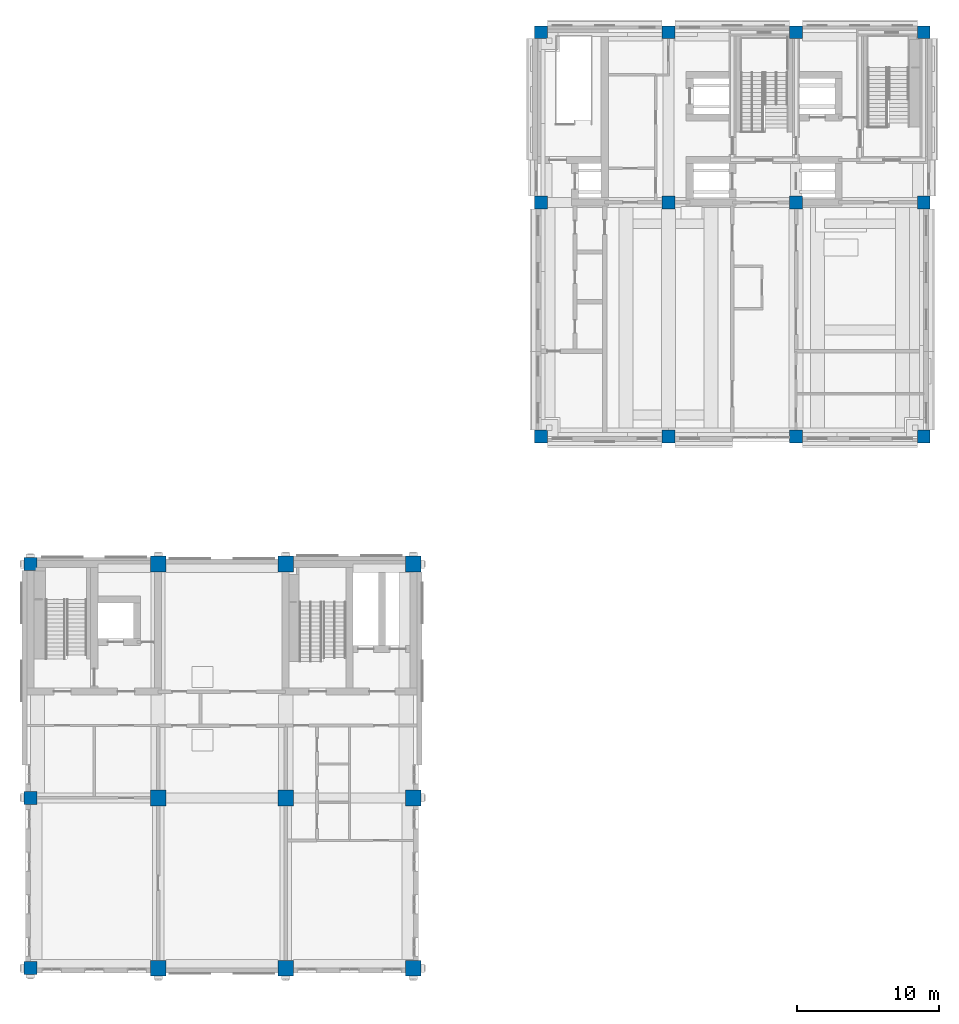
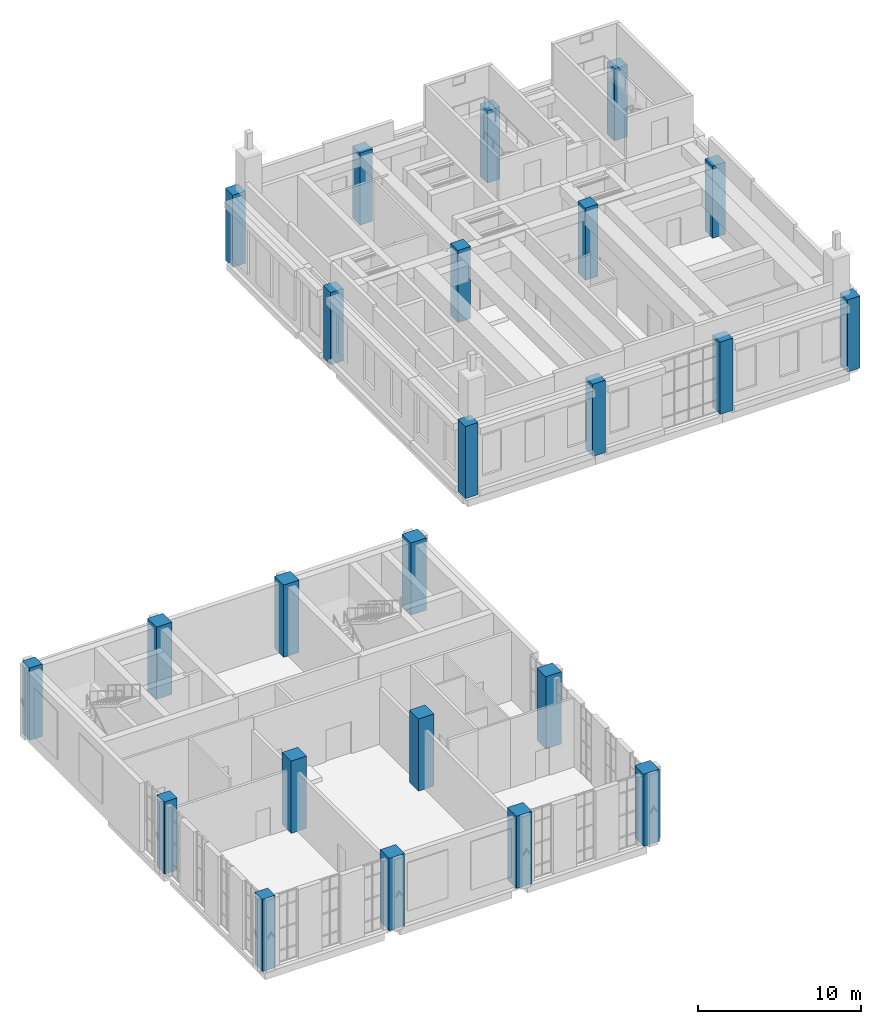
# One storey, part 1 of 22: 24 columns.
"""IFC4 building model written with IfcOpenShell, lengths in metres."""

from ifc_helpers import new_model, si_unit, direction, frame, origin, origin_2d, place, context, subcontext, project, spatial, rectangle, extrude, material, material_profile, profile_set, type_object, element, save


model = new_model("IFC4")

# Units and contexts
model_context = context("Model", 3, precision=1e-05, world=origin(), true_north=direction((0.0, 1.0)))
body_context = subcontext(model_context, "Body", "Model", "MODEL_VIEW")
ifc_project = project(units=[si_unit("LENGTHUNIT", "METRE"), si_unit("AREAUNIT", "SQUARE_METRE"), si_unit("VOLUMEUNIT", "CUBIC_METRE"), si_unit("PLANEANGLEUNIT", "RADIAN"), si_unit("MASSUNIT", "GRAM", prefix="KILO")], contexts=[model_context])

# Site, building, storey
site_placement = place(None, origin())
site = spatial("IfcSite", under=ifc_project, at=site_placement, CompositionType="ELEMENT")
building_placement = place(site_placement, origin())
building = spatial("IfcBuilding", under=site, at=building_placement, Name="Aurelan Courthouse", CompositionType="ELEMENT")
storey_placement = place(building_placement, frame((0.0, 0.0, 39.0)))
storey = spatial("IfcBuildingStorey", under=building, at=storey_placement, Name="L07", CompositionType="ELEMENT", Elevation=39.0)

# Columns
ifc_material = material(Name="Concrete C50", Category="concrete")
ifc_material_profile_1 = material_profile(ifc_material, rectangle(XDim=1.10009765625, YDim=1.10009765625, at=origin_2d()), Name="RC 1100 x 1100")
ifc_profile_set_1 = profile_set([ifc_material_profile_1], Name="Concrete C50")
column_type_1 = type_object("IfcColumnType", Name="RC column 1100 x 1100 C50", PredefinedType="COLUMN", material=ifc_profile_set_1)
for number, where, z_axis, x_axis, name in (
    (1, (9.0, 0.0, 0.0), (0.0, 0.0, 1.0), (1.0, 0.0, 0.0), "Column C-A2-C"),
    (2, (18.0, 0.0, 0.0), (0.0, 0.0, 1.0), (1.0, 0.0, 0.0), "Column C-A3-C"),
    (3, (27.0, 0.0, 0.0), (0.0, 0.0, 1.0), (1.0, 0.0, 0.0), "Column C-A4-C"),
    (4, (9.0, 12.0, 0.0), (0.0, 0.0, 1.0), (1.0, 0.0, 0.0), "Column C-B2-C"),
    (5, (18.0, 12.0, 0.0), (0.0, 0.0, 1.0), (1.0, 0.0, 0.0), "Column C-B3-C"),
    (6, (27.0, 12.0, 0.0), (0.0, 0.0, 1.0), (1.0, 0.0, 0.0), "Column C-B4-C"),
    (7, (9.0, 28.5, 0.0), (0.0, 0.0, 1.0), (1.0, 0.0, 0.0), "Column C-C2-C"),
    (8, (18.0, 28.5, 0.0), (0.0, 0.0, 1.0), (1.0, 0.0, 0.0), "Column C-C3-C"),
    (9, (27.0, 28.5, 0.0), (0.0, 0.0, 1.0), (1.0, 0.0, 0.0), "Column C-C4-C"),
):
    element("IfcColumn", number, at=place(storey_placement, frame(where, z_axis=z_axis, x_axis=x_axis)), inside=storey, type_object=column_type_1, Name=name, PredefinedType="COLUMN", context=body_context, shape_type="SweptSolid", body=[
        extrude(rectangle(XDim=1.10009765625, YDim=1.10009765625, at=origin_2d()), origin(), (0.0, 0.0, 1.0), 5.39990234375),
    ])
ifc_material_profile_2 = material_profile(ifc_material, rectangle(XDim=0.89990234375, YDim=0.89990234375, at=origin_2d()), Name="RC 900 x 900")
ifc_profile_set_2 = profile_set([ifc_material_profile_2], Name="Concrete C50")
column_type_2 = type_object("IfcColumnType", Name="RC column 900 x 900 C50", PredefinedType="COLUMN", material=ifc_profile_set_2)
for number, where, z_axis, x_axis, name in (
    (10, (0.0, 0.0, 0.0), (0.0, 0.0, 1.0), (1.0, 0.0, 0.0), "Column C-A1-C"),
    (11, (0.0, 12.0, 0.0), (0.0, 0.0, 1.0), (1.0, 0.0, 0.0), "Column C-B1-C"),
    (12, (0.0, 28.5, 0.0), (0.0, 0.0, 1.0), (1.0, 0.0, 0.0), "Column C-C1-C"),
    (13, (36.0, 37.5, 0.0), (0.0, 0.0, 1.0), (1.0, 0.0, 0.0), "Column C-D5-B"),
    (14, (45.0, 37.5, 0.0), (0.0, 0.0, 1.0), (1.0, 0.0, 0.0), "Column C-D6-B"),
    (15, (54.0, 37.5, 0.0), (0.0, 0.0, 1.0), (1.0, 0.0, 0.0), "Column C-D7-B"),
    (16, (63.0, 37.5, 0.0), (0.0, 0.0, 1.0), (1.0, 0.0, 0.0), "Column C-D8-B"),
    (17, (36.0, 54.0, 0.0), (0.0, 0.0, 1.0), (1.0, 0.0, 0.0), "Column C-E5-B"),
    (18, (45.0, 54.0, 0.0), (0.0, 0.0, 1.0), (1.0, 0.0, 0.0), "Column C-E6-B"),
    (19, (54.0, 54.0, 0.0), (0.0, 0.0, 1.0), (1.0, 0.0, 0.0), "Column C-E7-B"),
    (20, (63.0, 54.0, 0.0), (0.0, 0.0, 1.0), (1.0, 0.0, 0.0), "Column C-E8-B"),
    (21, (36.0, 66.0, 0.0), (0.0, 0.0, 1.0), (1.0, 0.0, 0.0), "Column C-F5-B"),
    (22, (45.0, 66.0, 0.0), (0.0, 0.0, 1.0), (1.0, 0.0, 0.0), "Column C-F6-B"),
    (23, (54.0, 66.0, 0.0), (0.0, 0.0, 1.0), (1.0, 0.0, 0.0), "Column C-F7-B"),
    (24, (63.0, 66.0, 0.0), (0.0, 0.0, 1.0), (1.0, 0.0, 0.0), "Column C-F8-B"),
):
    element("IfcColumn", number, at=place(storey_placement, frame(where, z_axis=z_axis, x_axis=x_axis)), inside=storey, type_object=column_type_2, Name=name, PredefinedType="COLUMN", context=body_context, shape_type="SweptSolid", body=[
        extrude(rectangle(XDim=0.89990234375, YDim=0.89990234375, at=origin_2d()), origin(), (0.0, 0.0, 1.0), 5.39990234375),
    ])

save(model, "model.ifc")
